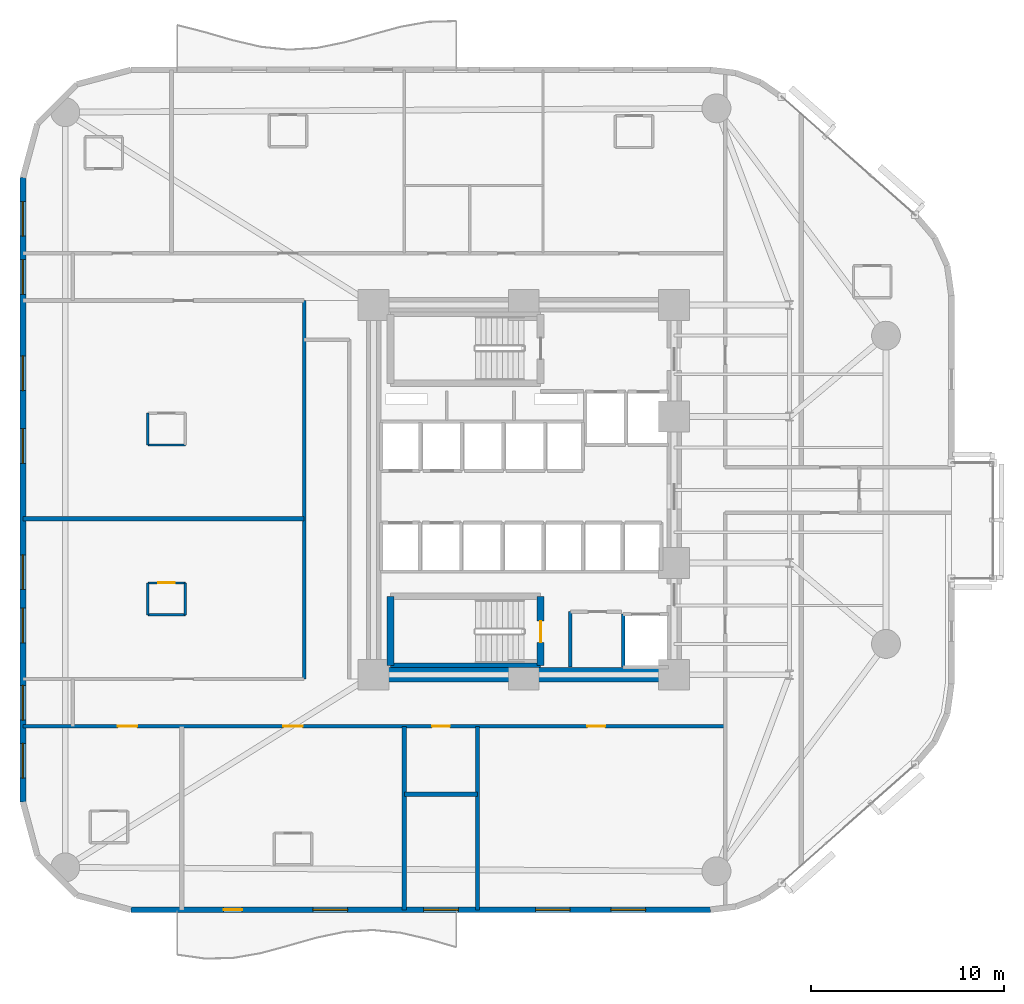
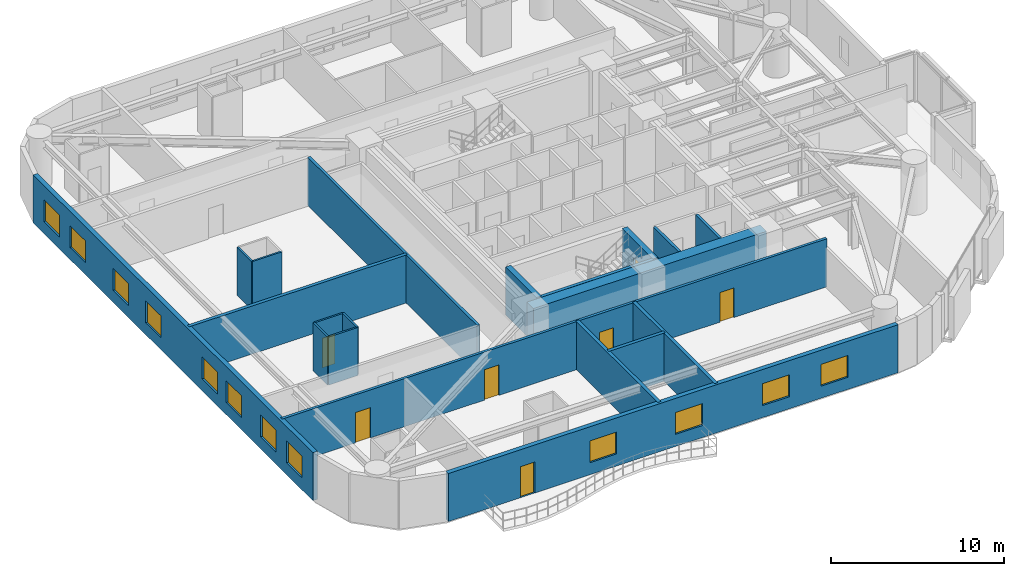
# One storey, part 10 of 17: 20 walls, 12 windows, 7 doors, 19 openings.
"""IFC4 building model written with IfcOpenShell, lengths in metres."""

import ifcopenshell
import ifcopenshell.guid

model = None  # the IFC model being written
_history = None  # IfcOwnerHistory: only IFC2X3 demands one
_inside = {}  # id of a spatial element -> (the spatial element, [elements in it])
_under = {}  # id of a project, library or spatial element -> (it, [spatial elements below it])
_declared = {}  # id of a project -> (the project, [libraries it declares])
_typed = {}  # id of a type object -> (the type object, [elements of that type])
_made_of = {}  # id of a material, layer set ... -> (it, [elements and type objects made of it])


def new_model(schema):
    """Start an empty IFC model of exactly this schema.

    Asked for "IFC4X3", IfcOpenShell would pick the latest addendum, in which some entities
    have other attributes; the version numbers below select the first issue.
    IFC2X3 requires an IfcOwnerHistory on every rooted entity: one is made here for all.
    """
    global model, _history
    if schema == "IFC4X3":
        model = ifcopenshell.file(schema_version=(4, 3, 0, 0))
    else:
        model = ifcopenshell.file(schema=schema)
    _inside.clear()
    _under.clear()
    _declared.clear()
    _typed.clear()
    _made_of.clear()
    _history = None
    if model.schema == "IFC2X3":
        org = make("IfcOrganization", Name="unknown")
        user = make(
            "IfcPersonAndOrganization",
            ThePerson=make("IfcPerson", FamilyName="unknown"),
            TheOrganization=org,
        )
        app = make(
            "IfcApplication",
            ApplicationDeveloper=org,
            Version="unknown",
            ApplicationFullName="unknown",
            ApplicationIdentifier="unknown",
        )
        _history = make(
            "IfcOwnerHistory",
            OwningUser=user,
            OwningApplication=app,
            ChangeAction="ADDED",
            CreationDate=0,
        )
    return model


def make(cls, **values):
    """One entity of the class cls with the attributes given. An attribute that is None is left unset."""
    return model.create_entity(
        cls, **{name: value for name, value in values.items() if value is not None}
    )


def rooted(cls, **values):
    """An entity with a GlobalId (a new one), such as an element, a storey or a relation."""
    return make(cls, GlobalId=ifcopenshell.guid.new(), OwnerHistory=_history, **values)


def si_unit(unit_type, name, prefix=None):
    """IfcSIUnit, for example si_unit("LENGTHUNIT", "METRE", prefix="MILLI")."""
    return make("IfcSIUnit", UnitType=unit_type, Prefix=prefix, Name=name)


def assignment(units):
    """IfcUnitAssignment: the units of a project."""
    return None if units is None else make("IfcUnitAssignment", Units=units)


def point(xyz):
    """IfcCartesianPoint."""
    return None if xyz is None else make("IfcCartesianPoint", Coordinates=xyz)


def direction(xyz):
    """IfcDirection."""
    return None if xyz is None else make("IfcDirection", DirectionRatios=xyz)


def frame(location, z_axis=None, x_axis=None):
    """IfcAxis2Placement3D, a coordinate frame: its origin and axes. An axis left out is left unset."""
    return make(
        "IfcAxis2Placement3D",
        Location=point(location),
        Axis=direction(z_axis),
        RefDirection=direction(x_axis),
    )


def frame_2d(location, x_axis=None):
    """IfcAxis2Placement2D, a coordinate frame in the plane: its origin and x axis."""
    return make(
        "IfcAxis2Placement2D", Location=point(location), RefDirection=direction(x_axis)
    )


def origin():
    """The frame at (0, 0, 0) with its axes left unset."""
    return frame((0.0, 0.0, 0.0))


def place(relative_to, where):
    """IfcLocalPlacement: puts the frame where relative to a parent placement (None: the world)."""
    return make(
        "IfcLocalPlacement", PlacementRelTo=relative_to, RelativePlacement=where
    )


def context(
    kind, dimensions, precision=None, world=None, true_north=None, identifier=None
):
    """IfcGeometricRepresentationContext, for example the 3D "Model" context."""
    return make(
        "IfcGeometricRepresentationContext",
        ContextIdentifier=identifier,
        ContextType=kind,
        CoordinateSpaceDimension=dimensions,
        Precision=precision,
        WorldCoordinateSystem=world,
        TrueNorth=true_north,
    )


def subcontext(parent, identifier, kind, view, scale=None):
    """IfcGeometricRepresentationSubContext, for example "Body" below "Model"."""
    return make(
        "IfcGeometricRepresentationSubContext",
        ContextIdentifier=identifier,
        ContextType=kind,
        ParentContext=parent,
        TargetScale=scale,
        TargetView=view,
    )


def project(units=None, contexts=None):
    """IfcProject with its units and contexts."""
    return rooted(
        "IfcProject",
        Name="project",
        RepresentationContexts=contexts,
        UnitsInContext=assignment(units),
    )


def spatial(cls, under=None, at=None, **own):
    """A site, building, storey or space (cls), placed at a placement, below another one or the project."""
    s = rooted(cls, ObjectPlacement=at, **own)
    if under is not None:
        _under.setdefault(under.id(), (under, []))[1].append(s)
    return s


def profile(cls, at=None, kind="AREA", **sizes):
    """A parametric profile (cls). Its sizes go by their IFC names, for example OverallWidth=200.0."""
    return make(cls, ProfileType=kind, Position=at, **sizes)


def rectangle(**sizes):
    """IfcRectangleProfileDef."""
    return profile("IfcRectangleProfileDef", **sizes)


def extrude(swept, where, along, depth):
    """IfcExtrudedAreaSolid: the profile swept, set in the frame where, extruded along a direction by depth."""
    return make(
        "IfcExtrudedAreaSolid",
        SweptArea=swept,
        Position=where,
        ExtrudedDirection=direction(along),
        Depth=depth,
    )


def shape(context_of_items, identifier, shape_type, items):
    """IfcShapeRepresentation: the items that make up one representation, for example the "Body"."""
    return make(
        "IfcShapeRepresentation",
        ContextOfItems=context_of_items,
        RepresentationIdentifier=identifier,
        RepresentationType=shape_type,
        Items=items,
    )


def material(Name=None, Category=None):
    """IfcMaterial."""
    return make("IfcMaterial", Name=Name, Category=Category)


def layer(
    of_material, thickness, ventilated=None, Name=None, Category=None, Priority=None
):
    """IfcMaterialLayer: one layer of a wall or slab, of a material (None: an air gap)."""
    return make(
        "IfcMaterialLayer",
        Material=of_material,
        LayerThickness=thickness,
        IsVentilated=ventilated,
        Name=Name,
        Category=Category,
        Priority=Priority,
    )


def layer_set(layers, Name=None):
    """IfcMaterialLayerSet."""
    return make("IfcMaterialLayerSet", MaterialLayers=layers, LayerSetName=Name)


def made_of(thing, what):
    """Note that an element or type object is made of a material, layer set ...; save() writes the relation."""
    if what is not None:
        _made_of.setdefault(what.id(), (what, []))[1].append(thing)
    return thing


def type_object(cls, material=None, **own):
    """A type object (cls), such as IfcWallType, which elements share."""
    return made_of(rooted(cls, **own), material)


def element(
    cls,
    number,
    at=None,
    inside=None,
    cuts=None,
    type_object=None,
    material=None,
    context=None,
    identifier="Body",
    shape_type=None,
    held_by="IfcProductDefinitionShape",
    body=None,
    shapes=None,
    **own,
):
    """One element of the class cls, such as IfcWall. Its Tag is "e" and its number.

    at: its placement. inside: the storey or other place that contains it. cuts: it is an
    opening in that element (IfcRelVoidsElement). A single representation is given by context,
    identifier, shape_type and body (its items); several are given by shapes. held_by: the class
    of the entity that holds the representations. save() writes the other relations.
    """
    e = rooted(cls, Tag="e%d" % number, ObjectPlacement=at, **own)
    if body is not None:
        shapes = [shape(context, identifier, shape_type, body)]
    if shapes is not None:
        e.Representation = make(held_by, Representations=shapes)
    if inside is not None:
        _inside.setdefault(inside.id(), (inside, []))[1].append(e)
    if cuts is not None:
        rooted(
            "IfcRelVoidsElement", RelatingBuildingElement=cuts, RelatedOpeningElement=e
        )
    if type_object is not None:
        _typed.setdefault(type_object.id(), (type_object, []))[1].append(e)
    return made_of(e, material)


def fill(opening, filler):
    """IfcRelFillsElement: the door or window that sits in an opening."""
    return rooted(
        "IfcRelFillsElement",
        RelatingOpeningElement=opening,
        RelatedBuildingElement=filler,
    )


def aggregate(whole, parts):
    """IfcRelAggregates: a whole, such as a stair, and the parts it consists of."""
    return rooted("IfcRelAggregates", RelatingObject=whole, RelatedObjects=parts)


def save(model, path):
    """Write the relations noted so far, then the file.

    IfcRelAggregates (storeys below a building ...), IfcRelContainedInSpatialStructure (elements
    in a storey), IfcRelDefinesByType, IfcRelAssociatesMaterial and IfcRelDeclares: one each for
    every whole, place, type object, material and project.
    """
    for whole, parts in _under.values():
        aggregate(whole, parts)
    for where, things in _inside.values():
        rooted(
            "IfcRelContainedInSpatialStructure",
            RelatedElements=things,
            RelatingStructure=where,
        )
    for kind, things in _typed.values():
        rooted("IfcRelDefinesByType", RelatedObjects=things, RelatingType=kind)
    for what, things in _made_of.values():
        rooted("IfcRelAssociatesMaterial", RelatedObjects=things, RelatingMaterial=what)
    for by, libraries in _declared.values():
        rooted("IfcRelDeclares", RelatingContext=by, RelatedDefinitions=libraries)
    model.write(path)


model = new_model("IFC4")

# Units and contexts
model_context = context("Model", 3, precision=1e-05, world=origin(), true_north=direction((0.0, 1.0)))
body_context = subcontext(model_context, "Body", "Model", "MODEL_VIEW")
ifc_project = project(units=[si_unit("LENGTHUNIT", "METRE"), si_unit("AREAUNIT", "SQUARE_METRE"), si_unit("VOLUMEUNIT", "CUBIC_METRE"), si_unit("PLANEANGLEUNIT", "RADIAN"), si_unit("MASSUNIT", "GRAM", prefix="KILO")], contexts=[model_context])

# Site, building, storey
site_placement = place(None, origin())
site = spatial("IfcSite", under=ifc_project, at=site_placement, CompositionType="ELEMENT")
building_placement = place(site_placement, origin())
building = spatial("IfcBuilding", under=site, at=building_placement, Name="An Khanh Terracotta Commons", CompositionType="ELEMENT")
storey_placement = place(building_placement, frame((0.0, 0.0, 36.0)))
storey = spatial("IfcBuildingStorey", under=building, at=storey_placement, Name="L09", CompositionType="ELEMENT", Elevation=36.0)

# Walls
ifc_material_1 = material(Name="Concrete C70/85", Category="concrete")
ifc_layer_1 = layer(ifc_material_1, 0.75, Name="Concrete C70/85")
ifc_layer_set_1 = layer_set([ifc_layer_1], Name="Concrete C70/85")
wall_type_1 = type_object("IfcWallType", Name="WALL-CORE-750", PredefinedType="SHEAR", material=ifc_layer_set_1)
wall_1_placement = place(storey_placement, frame((37.199951171875, 14.39990234375, 0.0), z_axis=(0.0, 0.0, 1.0), x_axis=(-1.0, 0.0, 0.0)))
element("IfcWall", 1, at=wall_1_placement, inside=storey, type_object=wall_type_1, Name="L09 Core Wall CWALL-L09-S", PredefinedType="SHEAR", context=body_context, shape_type="SweptSolid", body=[
    extrude(rectangle(XDim=15.599853515625, YDim=0.75, at=frame_2d((7.7998046875, 0.0))), origin(), (0.0, 0.0, 1.0), 3.39990234375),
])
ifc_material_2 = material(Name="Fire-Rated Gypsum Board on Steel Stud", Category="steel")
ifc_layer_2 = layer(ifc_material_2, 0.179931640625, Name="Fire-Rated Gypsum Board on Steel Stud")
ifc_layer_set_2 = layer_set([ifc_layer_2], Name="Fire-Rated Gypsum Board on Steel Stud")
wall_type_2 = type_object("IfcWallType", Name="WALL-CORR-180", PredefinedType="PARTITIONING", material=ifc_layer_set_2)
wall_2_placement = place(storey_placement, frame((31.820068359375, 14.800048828125, 0.0), z_axis=(0.0, 0.0, 1.0), x_axis=(0.0, 1.0, 0.0)))
element("IfcWall", 2, at=wall_2_placement, inside=storey, type_object=wall_type_2, Name="L09 Core Wall SSVCW-L09-W", PredefinedType="PARTITIONING", context=body_context, shape_type="SweptSolid", body=[
    extrude(rectangle(XDim=2.8798828125, YDim=0.179931640625, at=frame_2d((1.43994140625, 0.0))), origin(), (0.0, 0.0, 1.0), 3.39990234375),
])
wall_3_placement = place(storey_placement, frame((34.550048828125, 17.550048828125, 0.0), z_axis=(0.0, 0.0, 1.0), x_axis=(0.0, -1.0, 0.0)))
element("IfcWall", 3, at=wall_3_placement, inside=storey, type_object=wall_type_2, Name="L09 Core Wall LSH-L09-SVL-01-W", PredefinedType="PARTITIONING", context=body_context, shape_type="SweptSolid", body=[
    extrude(rectangle(XDim=2.75, YDim=0.179931640625, at=frame_2d((1.375, 0.0))), origin(), (0.0, 0.0, 1.0), 3.39990234375),
])

# Wall, openings, doors
wall_4_placement = place(storey_placement, frame((3.39990234375, 11.719970703125, 0.0), z_axis=(0.0, 0.0, 1.0), x_axis=(1.0, 0.0, 0.0)))
wall_4 = element("IfcWall", 4, at=wall_4_placement, inside=storey, type_object=wall_type_2, Name="L09 Interior Partition IW-L09-E002", PredefinedType="PARTITIONING", context=body_context, shape_type="SweptSolid", body=[
    extrude(rectangle(XDim=36.4501953125, YDim=0.179931640625, at=frame_2d((18.22509765625, 0.0))), origin(), (0.0, 0.0, 1.0), 3.39990234375),
])
opening_1_placement = place(wall_4_placement, frame((21.239990234375, 0.0, 0.0)))
opening_1 = element("IfcOpeningElement", 5, at=opening_1_placement, cuts=wall_4, Name="Opening D-RM", PredefinedType="OPENING", context=body_context, shape_type="SweptSolid", body=[
    extrude(rectangle(XDim=0.919921875, YDim=2.10009765625, at=frame_2d((0.4599609375, 1.050048828125))), frame((0.0, 0.099853515625, 0.0), z_axis=(0.0, -1.0, 0.0), x_axis=(1.0, 0.0, 0.0)), (0.0, 0.0, 1.0), 0.199951171875),
])
opening_2_placement = place(wall_4_placement, frame((4.925048828125, 0.0, 0.0)))
opening_2 = element("IfcOpeningElement", 6, at=opening_2_placement, cuts=wall_4, Name="Opening D-UN", PredefinedType="OPENING", context=body_context, shape_type="SweptSolid", body=[
    extrude(rectangle(XDim=1.0, YDim=2.14990234375, at=frame_2d((0.5, 1.074951171875))), frame((0.0, 0.099853515625, 0.0), z_axis=(0.0, -1.0, 0.0), x_axis=(1.0, 0.0, 0.0)), (0.0, 0.0, 1.0), 0.199951171875),
])
opening_3_placement = place(wall_4_placement, frame((13.52490234375, 0.0, 0.0)))
opening_3 = element("IfcOpeningElement", 7, at=opening_3_placement, cuts=wall_4, Name="Opening D-UN", PredefinedType="OPENING", context=body_context, shape_type="SweptSolid", body=[
    extrude(rectangle(XDim=1.0, YDim=2.14990234375, at=frame_2d((0.5, 1.074951171875))), frame((0.0, 0.099853515625, 0.0), z_axis=(0.0, -1.0, 0.0), x_axis=(1.0, 0.0, 0.0)), (0.0, 0.0, 1.0), 0.199951171875),
])
opening_4_placement = place(wall_4_placement, frame((29.304931640625, 0.0, 0.0)))
opening_4 = element("IfcOpeningElement", 8, at=opening_4_placement, cuts=wall_4, Name="Opening D-RM", PredefinedType="OPENING", context=body_context, shape_type="SweptSolid", body=[
    extrude(rectangle(XDim=0.919921875, YDim=2.10009765625, at=frame_2d((0.4599609375, 1.050048828125))), frame((0.0, 0.099853515625, 0.0), z_axis=(0.0, -1.0, 0.0), x_axis=(1.0, 0.0, 0.0)), (0.0, 0.0, 1.0), 0.199951171875),
])
ifc_material_3 = material(Name="Engineered Hardwood Timber Leaf", Category="wood")
door_type_1 = type_object("IfcDoorType", Name="DOOR-INT-920", OperationType="NOTDEFINED", PredefinedType="DOOR", material=ifc_material_3)
door_1_placement = place(opening_1_placement, origin())
door_1 = element("IfcDoor", 9, at=door_1_placement, inside=storey, type_object=door_type_1, Name="L09 HKP Housekeeping Linen Store Door", OperationType="SINGLE_SWING_RIGHT", OverallHeight=2.10009765625, OverallWidth=0.919921875, PredefinedType="DOOR", context=body_context, shape_type="SweptSolid", body=[
    extrude(rectangle(XDim=0.919921875, YDim=2.10009765625, at=frame_2d((0.4599609375, 1.050048828125))), frame((0.0, 0.02490234375, 0.0), z_axis=(0.0, -1.0, 0.0), x_axis=(1.0, 0.0, 0.0)), (0.0, 0.0, 1.0), 0.050048828125),
])
fill(opening_1, door_1)
door_2_placement = place(opening_4_placement, origin())
door_2 = element("IfcDoor", 10, at=door_2_placement, inside=storey, type_object=door_type_1, Name="L09 SWE Communal Kitchen and Dining Door", OperationType="SINGLE_SWING_LEFT", OverallHeight=2.10009765625, OverallWidth=0.919921875, PredefinedType="DOOR", context=body_context, shape_type="SweptSolid", body=[
    extrude(rectangle(XDim=0.919921875, YDim=2.10009765625, at=frame_2d((0.4599609375, 1.050048828125))), frame((0.0, 0.02490234375, 0.0), z_axis=(0.0, -1.0, 0.0), x_axis=(1.0, 0.0, 0.0)), (0.0, 0.0, 1.0), 0.050048828125),
])
fill(opening_4, door_2)
ifc_material_4 = material(Name="Solid-Core Hardwood Acoustic Fire Door", Category="wood")
door_type_2 = type_object("IfcDoorType", Name="DOOR-UNIT-1000", OperationType="NOTDEFINED", PredefinedType="DOOR", material=ifc_material_4)
door_3_placement = place(opening_2_placement, origin())
door_3 = element("IfcDoor", 11, at=door_3_placement, inside=storey, type_object=door_type_2, Name="L09 SW1 Kitchenette and Studio Apartment Door", OperationType="SINGLE_SWING_LEFT", OverallHeight=2.14990234375, OverallWidth=1.0, PredefinedType="DOOR", context=body_context, shape_type="SweptSolid", body=[
    extrude(rectangle(XDim=1.0, YDim=2.14990234375, at=frame_2d((0.5, 1.074951171875))), frame((0.0, 0.02490234375, 0.0), z_axis=(0.0, -1.0, 0.0), x_axis=(1.0, 0.0, 0.0)), (0.0, 0.0, 1.0), 0.050048828125),
])
fill(opening_2, door_3)
door_4_placement = place(opening_3_placement, origin())
door_4 = element("IfcDoor", 12, at=door_4_placement, inside=storey, type_object=door_type_2, Name="L09 SW2 Kitchenette and Studio Apartment Door", OperationType="SINGLE_SWING_RIGHT", OverallHeight=2.14990234375, OverallWidth=1.0, PredefinedType="DOOR", context=body_context, shape_type="SweptSolid", body=[
    extrude(rectangle(XDim=1.0, YDim=2.14990234375, at=frame_2d((0.5, 1.074951171875))), frame((0.0, 0.02490234375, 0.0), z_axis=(0.0, -1.0, 0.0), x_axis=(1.0, 0.0, 0.0)), (0.0, 0.0, 1.0), 0.050048828125),
])
fill(opening_3, door_4)

# Wall
wall_5_placement = place(storey_placement, frame((18.0, 14.179931640625, 0.0), z_axis=(0.0, 0.0, 1.0), x_axis=(0.0, 1.0, 0.0)))
element("IfcWall", 13, at=wall_5_placement, inside=storey, type_object=wall_type_2, Name="L09 Interior Partition IW-L09-E015", PredefinedType="PARTITIONING", context=body_context, shape_type="SweptSolid", body=[
    extrude(rectangle(XDim=19.64013671875, YDim=0.179931640625, at=frame_2d((9.820068359375, 0.0))), origin(), (0.0, 0.0, 1.0), 3.39990234375),
])

# Wall, openings, door, windows
ifc_material_5 = material(Name="Precast concrete C40/50", Category="concrete")
ifc_layer_3 = layer(ifc_material_5, 0.300048828125, Name="Precast concrete C40/50")
ifc_layer_set_3 = layer_set([ifc_layer_3], Name="Precast concrete C40/50")
wall_type_3 = type_object("IfcWallType", Name="WALL-EXT-300", PredefinedType="SOLIDWALL", material=ifc_layer_set_3)
wall_6_placement = place(storey_placement, frame((9.0, 2.199951171875, 0.0), z_axis=(0.0, 0.0, 1.0), x_axis=(1.0, 0.0, 0.0)))
wall_6 = element("IfcWall", 14, at=wall_6_placement, inside=storey, type_object=wall_type_3, Name="L09 Insulated Terracotta Exterior Wall 4", PredefinedType="SOLIDWALL", context=body_context, shape_type="SweptSolid", body=[
    extrude(rectangle(XDim=30.0791015625, YDim=0.300048828125, at=frame_2d((15.03955078125, 0.0))), origin(), (0.0, 0.0, 1.0), 3.39990234375),
])
opening_5_placement = place(wall_6_placement, frame((4.824951171875, 0.0, 0.0)))
opening_5 = element("IfcOpeningElement", 15, at=opening_5_placement, cuts=wall_6, Name="Opening D-BAL", PredefinedType="OPENING", context=body_context, shape_type="SweptSolid", body=[
    extrude(rectangle(XDim=0.949951171875, YDim=2.199951171875, at=frame_2d((0.47509765625, 1.10009765625))), frame((0.0, 0.159912109375, 0.0), z_axis=(0.0, -1.0, 0.0), x_axis=(1.0, 0.0, 0.0)), (0.0, 0.0, 1.0), 0.320068359375),
])
opening_6_placement = place(wall_6_placement, frame((9.449951171875, 0.0, 0.85009765625)))
opening_6 = element("IfcOpeningElement", 16, at=opening_6_placement, cuts=wall_6, Name="Opening W-01", PredefinedType="OPENING", context=body_context, shape_type="SweptSolid", body=[
    extrude(rectangle(XDim=1.800048828125, YDim=1.550048828125, at=frame_2d((0.89990234375, 0.77490234375))), frame((0.0, 0.159912109375, 0.0), z_axis=(0.0, -1.0, 0.0), x_axis=(1.0, 0.0, 0.0)), (0.0, 0.0, 1.0), 0.320068359375),
])
opening_7_placement = place(wall_6_placement, frame((15.199951171875, 0.0, 0.85009765625)))
opening_7 = element("IfcOpeningElement", 17, at=opening_7_placement, cuts=wall_6, Name="Opening W-01", PredefinedType="OPENING", context=body_context, shape_type="SweptSolid", body=[
    extrude(rectangle(XDim=1.800048828125, YDim=1.550048828125, at=frame_2d((0.89990234375, 0.77490234375))), frame((0.0, 0.159912109375, 0.0), z_axis=(0.0, -1.0, 0.0), x_axis=(1.0, 0.0, 0.0)), (0.0, 0.0, 1.0), 0.320068359375),
])
opening_8_placement = place(wall_6_placement, frame((21.010009765625, 0.0, 0.85009765625)))
opening_8 = element("IfcOpeningElement", 18, at=opening_8_placement, cuts=wall_6, Name="Opening W-01", PredefinedType="OPENING", context=body_context, shape_type="SweptSolid", body=[
    extrude(rectangle(XDim=1.800048828125, YDim=1.550048828125, at=frame_2d((0.89990234375, 0.77490234375))), frame((0.0, 0.159912109375, 0.0), z_axis=(0.0, -1.0, 0.0), x_axis=(1.0, 0.0, 0.0)), (0.0, 0.0, 1.0), 0.320068359375),
])
opening_9_placement = place(wall_6_placement, frame((24.9189453125, 0.0, 0.85009765625)))
opening_9 = element("IfcOpeningElement", 19, at=opening_9_placement, cuts=wall_6, Name="Opening W-01", PredefinedType="OPENING", context=body_context, shape_type="SweptSolid", body=[
    extrude(rectangle(XDim=1.800048828125, YDim=1.550048828125, at=frame_2d((0.89990234375, 0.77490234375))), frame((0.0, 0.159912109375, 0.0), z_axis=(0.0, -1.0, 0.0), x_axis=(1.0, 0.0, 0.0)), (0.0, 0.0, 1.0), 0.320068359375),
])
ifc_material_6 = material(Name="Thermally Broken Aluminium and Low-E Glass", Category="aluminium")
door_type_3 = type_object("IfcDoorType", Name="DOOR-BALC-950", OperationType="NOTDEFINED", PredefinedType="DOOR", material=ifc_material_6)
door_5_placement = place(opening_5_placement, origin())
door_5 = element("IfcDoor", 20, at=door_5_placement, inside=storey, type_object=door_type_3, Name="L09 S Wave Balcony Glazed Door", OperationType="SINGLE_SWING_LEFT", OverallHeight=2.199951171875, OverallWidth=0.949951171875, PredefinedType="DOOR", context=body_context, shape_type="SweptSolid", body=[
    extrude(rectangle(XDim=0.949951171875, YDim=2.199951171875, at=frame_2d((0.47509765625, 1.10009765625))), frame((0.0, 0.02490234375, 0.0), z_axis=(0.0, -1.0, 0.0), x_axis=(1.0, 0.0, 0.0)), (0.0, 0.0, 1.0), 0.050048828125),
])
fill(opening_5, door_5)
window_type = type_object("IfcWindowType", Name="WIN-Z1-1800x1550", PartitioningType="DOUBLE_PANEL_VERTICAL", PredefinedType="WINDOW", material=ifc_material_6)
window_1_placement = place(opening_6_placement, origin())
window_1 = element("IfcWindow", 21, at=window_1_placement, inside=storey, type_object=window_type, Name="L09 Operable Casement Window 4.1", OverallHeight=1.550048828125, OverallWidth=1.800048828125, PartitioningType="DOUBLE_PANEL_VERTICAL", PredefinedType="WINDOW", context=body_context, shape_type="SweptSolid", body=[
    extrude(rectangle(XDim=1.800048828125, YDim=1.550048828125, at=frame_2d((0.89990234375, 0.77490234375))), frame((0.0, 0.030029296875, 0.0), z_axis=(0.0, -1.0, 0.0), x_axis=(1.0, 0.0, 0.0)), (0.0, 0.0, 1.0), 0.06005859375),
])
fill(opening_6, window_1)
window_2_placement = place(opening_7_placement, origin())
window_2 = element("IfcWindow", 22, at=window_2_placement, inside=storey, type_object=window_type, Name="L09 Operable Casement Window 4.2", OverallHeight=1.550048828125, OverallWidth=1.800048828125, PartitioningType="DOUBLE_PANEL_VERTICAL", PredefinedType="WINDOW", context=body_context, shape_type="SweptSolid", body=[
    extrude(rectangle(XDim=1.800048828125, YDim=1.550048828125, at=frame_2d((0.89990234375, 0.77490234375))), frame((0.0, 0.030029296875, 0.0), z_axis=(0.0, -1.0, 0.0), x_axis=(1.0, 0.0, 0.0)), (0.0, 0.0, 1.0), 0.06005859375),
])
fill(opening_7, window_2)
window_3_placement = place(opening_8_placement, origin())
window_3 = element("IfcWindow", 23, at=window_3_placement, inside=storey, type_object=window_type, Name="L09 Operable Casement Window 4.3", OverallHeight=1.550048828125, OverallWidth=1.800048828125, PartitioningType="DOUBLE_PANEL_VERTICAL", PredefinedType="WINDOW", context=body_context, shape_type="SweptSolid", body=[
    extrude(rectangle(XDim=1.800048828125, YDim=1.550048828125, at=frame_2d((0.89990234375, 0.77490234375))), frame((0.0, 0.030029296875, 0.0), z_axis=(0.0, -1.0, 0.0), x_axis=(1.0, 0.0, 0.0)), (0.0, 0.0, 1.0), 0.06005859375),
])
fill(opening_8, window_3)
window_4_placement = place(opening_9_placement, origin())
window_4 = element("IfcWindow", 24, at=window_4_placement, inside=storey, type_object=window_type, Name="L09 Operable Casement Window 4.4", OverallHeight=1.550048828125, OverallWidth=1.800048828125, PartitioningType="DOUBLE_PANEL_VERTICAL", PredefinedType="WINDOW", context=body_context, shape_type="SweptSolid", body=[
    extrude(rectangle(XDim=1.800048828125, YDim=1.550048828125, at=frame_2d((0.89990234375, 0.77490234375))), frame((0.0, 0.030029296875, 0.0), z_axis=(0.0, -1.0, 0.0), x_axis=(1.0, 0.0, 0.0)), (0.0, 0.0, 1.0), 0.06005859375),
])
fill(opening_9, window_4)

# Wall, openings, windows
wall_7_placement = place(storey_placement, frame((3.39990234375, 40.199951171875, 0.0), z_axis=(0.0, 0.0, 1.0), x_axis=(0.0, -1.0, 0.0)))
wall_7 = element("IfcWall", 25, at=wall_7_placement, inside=storey, type_object=wall_type_3, Name="L09 Insulated Terracotta Exterior Wall 24", PredefinedType="SOLIDWALL", context=body_context, shape_type="SweptSolid", body=[
    extrude(rectangle(XDim=32.39990234375, YDim=0.300048828125, at=frame_2d((16.199951171875, 0.0))), origin(), (0.0, 0.0, 1.0), 3.39990234375),
])
opening_10_placement = place(wall_7_placement, frame((1.235107421875, 0.0, 0.85009765625)))
opening_10 = element("IfcOpeningElement", 26, at=opening_10_placement, cuts=wall_7, Name="Opening W-01", PredefinedType="OPENING", context=body_context, shape_type="SweptSolid", body=[
    extrude(rectangle(XDim=1.800048828125, YDim=1.550048828125, at=frame_2d((0.89990234375, 0.77490234375))), frame((0.0, 0.159912109375, 0.0), z_axis=(0.0, -1.0, 0.0), x_axis=(1.0, 0.0, 0.0)), (0.0, 0.0, 1.0), 0.320068359375),
])
opening_11_placement = place(wall_7_placement, frame((4.25, 0.0, 0.85009765625)))
opening_11 = element("IfcOpeningElement", 27, at=opening_11_placement, cuts=wall_7, Name="Opening W-01", PredefinedType="OPENING", context=body_context, shape_type="SweptSolid", body=[
    extrude(rectangle(XDim=1.800048828125, YDim=1.550048828125, at=frame_2d((0.89990234375, 0.77490234375))), frame((0.0, 0.159912109375, 0.0), z_axis=(0.0, -1.0, 0.0), x_axis=(1.0, 0.0, 0.0)), (0.0, 0.0, 1.0), 0.320068359375),
])
opening_12_placement = place(wall_7_placement, frame((9.2529296875, 0.0, 0.85009765625)))
opening_12 = element("IfcOpeningElement", 28, at=opening_12_placement, cuts=wall_7, Name="Opening W-01", PredefinedType="OPENING", context=body_context, shape_type="SweptSolid", body=[
    extrude(rectangle(XDim=1.800048828125, YDim=1.550048828125, at=frame_2d((0.89990234375, 0.77490234375))), frame((0.0, 0.159912109375, 0.0), z_axis=(0.0, -1.0, 0.0), x_axis=(1.0, 0.0, 0.0)), (0.0, 0.0, 1.0), 0.320068359375),
])
opening_13_placement = place(wall_7_placement, frame((13.027099609375, 0.0, 0.85009765625)))
opening_13 = element("IfcOpeningElement", 29, at=opening_13_placement, cuts=wall_7, Name="Opening W-01", PredefinedType="OPENING", context=body_context, shape_type="SweptSolid", body=[
    extrude(rectangle(XDim=1.800048828125, YDim=1.550048828125, at=frame_2d((0.89990234375, 0.77490234375))), frame((0.0, 0.159912109375, 0.0), z_axis=(0.0, -1.0, 0.0), x_axis=(1.0, 0.0, 0.0)), (0.0, 0.0, 1.0), 0.320068359375),
])
opening_14_placement = place(wall_7_placement, frame((19.572998046875, 0.0, 0.85009765625)))
opening_14 = element("IfcOpeningElement", 30, at=opening_14_placement, cuts=wall_7, Name="Opening W-01", PredefinedType="OPENING", context=body_context, shape_type="SweptSolid", body=[
    extrude(rectangle(XDim=1.800048828125, YDim=1.550048828125, at=frame_2d((0.89990234375, 0.77490234375))), frame((0.0, 0.159912109375, 0.0), z_axis=(0.0, -1.0, 0.0), x_axis=(1.0, 0.0, 0.0)), (0.0, 0.0, 1.0), 0.320068359375),
])
opening_15_placement = place(wall_7_placement, frame((22.346923828125, 0.0, 0.85009765625)))
opening_15 = element("IfcOpeningElement", 31, at=opening_15_placement, cuts=wall_7, Name="Opening W-01", PredefinedType="OPENING", context=body_context, shape_type="SweptSolid", body=[
    extrude(rectangle(XDim=1.800048828125, YDim=1.550048828125, at=frame_2d((0.89990234375, 0.77490234375))), frame((0.0, 0.159912109375, 0.0), z_axis=(0.0, -1.0, 0.0), x_axis=(1.0, 0.0, 0.0)), (0.0, 0.0, 1.0), 0.320068359375),
])
opening_16_placement = place(wall_7_placement, frame((26.35009765625, 0.0, 0.85009765625)))
opening_16 = element("IfcOpeningElement", 32, at=opening_16_placement, cuts=wall_7, Name="Opening W-01", PredefinedType="OPENING", context=body_context, shape_type="SweptSolid", body=[
    extrude(rectangle(XDim=1.800048828125, YDim=1.550048828125, at=frame_2d((0.89990234375, 0.77490234375))), frame((0.0, 0.159912109375, 0.0), z_axis=(0.0, -1.0, 0.0), x_axis=(1.0, 0.0, 0.0)), (0.0, 0.0, 1.0), 0.320068359375),
])
opening_17_placement = place(wall_7_placement, frame((29.364990234375, 0.0, 0.85009765625)))
opening_17 = element("IfcOpeningElement", 33, at=opening_17_placement, cuts=wall_7, Name="Opening W-01", PredefinedType="OPENING", context=body_context, shape_type="SweptSolid", body=[
    extrude(rectangle(XDim=1.800048828125, YDim=1.550048828125, at=frame_2d((0.89990234375, 0.77490234375))), frame((0.0, 0.159912109375, 0.0), z_axis=(0.0, -1.0, 0.0), x_axis=(1.0, 0.0, 0.0)), (0.0, 0.0, 1.0), 0.320068359375),
])
window_5_placement = place(opening_10_placement, origin())
window_5 = element("IfcWindow", 34, at=window_5_placement, inside=storey, type_object=window_type, Name="L09 Operable Casement Window 24.1", OverallHeight=1.550048828125, OverallWidth=1.800048828125, PartitioningType="DOUBLE_PANEL_VERTICAL", PredefinedType="WINDOW", context=body_context, shape_type="SweptSolid", body=[
    extrude(rectangle(XDim=1.800048828125, YDim=1.550048828125, at=frame_2d((0.89990234375, 0.77490234375))), frame((0.0, 0.030029296875, 0.0), z_axis=(0.0, -1.0, 0.0), x_axis=(1.0, 0.0, 0.0)), (0.0, 0.0, 1.0), 0.06005859375),
])
fill(opening_10, window_5)
window_6_placement = place(opening_11_placement, origin())
window_6 = element("IfcWindow", 35, at=window_6_placement, inside=storey, type_object=window_type, Name="L09 Operable Casement Window 24.2", OverallHeight=1.550048828125, OverallWidth=1.800048828125, PartitioningType="DOUBLE_PANEL_VERTICAL", PredefinedType="WINDOW", context=body_context, shape_type="SweptSolid", body=[
    extrude(rectangle(XDim=1.800048828125, YDim=1.550048828125, at=frame_2d((0.89990234375, 0.77490234375))), frame((0.0, 0.030029296875, 0.0), z_axis=(0.0, -1.0, 0.0), x_axis=(1.0, 0.0, 0.0)), (0.0, 0.0, 1.0), 0.06005859375),
])
fill(opening_11, window_6)
window_7_placement = place(opening_12_placement, origin())
window_7 = element("IfcWindow", 36, at=window_7_placement, inside=storey, type_object=window_type, Name="L09 Operable Casement Window 24.3", OverallHeight=1.550048828125, OverallWidth=1.800048828125, PartitioningType="DOUBLE_PANEL_VERTICAL", PredefinedType="WINDOW", context=body_context, shape_type="SweptSolid", body=[
    extrude(rectangle(XDim=1.800048828125, YDim=1.550048828125, at=frame_2d((0.89990234375, 0.77490234375))), frame((0.0, 0.030029296875, 0.0), z_axis=(0.0, -1.0, 0.0), x_axis=(1.0, 0.0, 0.0)), (0.0, 0.0, 1.0), 0.06005859375),
])
fill(opening_12, window_7)
window_8_placement = place(opening_13_placement, origin())
window_8 = element("IfcWindow", 37, at=window_8_placement, inside=storey, type_object=window_type, Name="L09 Operable Casement Window 24.4", OverallHeight=1.550048828125, OverallWidth=1.800048828125, PartitioningType="DOUBLE_PANEL_VERTICAL", PredefinedType="WINDOW", context=body_context, shape_type="SweptSolid", body=[
    extrude(rectangle(XDim=1.800048828125, YDim=1.550048828125, at=frame_2d((0.89990234375, 0.77490234375))), frame((0.0, 0.030029296875, 0.0), z_axis=(0.0, -1.0, 0.0), x_axis=(1.0, 0.0, 0.0)), (0.0, 0.0, 1.0), 0.06005859375),
])
fill(opening_13, window_8)
window_9_placement = place(opening_14_placement, origin())
window_9 = element("IfcWindow", 38, at=window_9_placement, inside=storey, type_object=window_type, Name="L09 Operable Casement Window 24.5", OverallHeight=1.550048828125, OverallWidth=1.800048828125, PartitioningType="DOUBLE_PANEL_VERTICAL", PredefinedType="WINDOW", context=body_context, shape_type="SweptSolid", body=[
    extrude(rectangle(XDim=1.800048828125, YDim=1.550048828125, at=frame_2d((0.89990234375, 0.77490234375))), frame((0.0, 0.030029296875, 0.0), z_axis=(0.0, -1.0, 0.0), x_axis=(1.0, 0.0, 0.0)), (0.0, 0.0, 1.0), 0.06005859375),
])
fill(opening_14, window_9)
window_10_placement = place(opening_15_placement, origin())
window_10 = element("IfcWindow", 39, at=window_10_placement, inside=storey, type_object=window_type, Name="L09 Operable Casement Window 24.6", OverallHeight=1.550048828125, OverallWidth=1.800048828125, PartitioningType="DOUBLE_PANEL_VERTICAL", PredefinedType="WINDOW", context=body_context, shape_type="SweptSolid", body=[
    extrude(rectangle(XDim=1.800048828125, YDim=1.550048828125, at=frame_2d((0.89990234375, 0.77490234375))), frame((0.0, 0.030029296875, 0.0), z_axis=(0.0, -1.0, 0.0), x_axis=(1.0, 0.0, 0.0)), (0.0, 0.0, 1.0), 0.06005859375),
])
fill(opening_15, window_10)
window_11_placement = place(opening_16_placement, origin())
window_11 = element("IfcWindow", 40, at=window_11_placement, inside=storey, type_object=window_type, Name="L09 Operable Casement Window 24.7", OverallHeight=1.550048828125, OverallWidth=1.800048828125, PartitioningType="DOUBLE_PANEL_VERTICAL", PredefinedType="WINDOW", context=body_context, shape_type="SweptSolid", body=[
    extrude(rectangle(XDim=1.800048828125, YDim=1.550048828125, at=frame_2d((0.89990234375, 0.77490234375))), frame((0.0, 0.030029296875, 0.0), z_axis=(0.0, -1.0, 0.0), x_axis=(1.0, 0.0, 0.0)), (0.0, 0.0, 1.0), 0.06005859375),
])
fill(opening_16, window_11)
window_12_placement = place(opening_17_placement, origin())
window_12 = element("IfcWindow", 41, at=window_12_placement, inside=storey, type_object=window_type, Name="L09 Operable Casement Window 24.8", OverallHeight=1.550048828125, OverallWidth=1.800048828125, PartitioningType="DOUBLE_PANEL_VERTICAL", PredefinedType="WINDOW", context=body_context, shape_type="SweptSolid", body=[
    extrude(rectangle(XDim=1.800048828125, YDim=1.550048828125, at=frame_2d((0.89990234375, 0.77490234375))), frame((0.0, 0.030029296875, 0.0), z_axis=(0.0, -1.0, 0.0), x_axis=(1.0, 0.0, 0.0)), (0.0, 0.0, 1.0), 0.06005859375),
])
fill(opening_17, window_12)

# Walls
ifc_material_7 = material(Name="Acoustic Double-Stud Gypsum and Mineral Wool")
ifc_layer_4 = layer(ifc_material_7, 0.219970703125, Name="Acoustic Double-Stud Gypsum and Mineral Wool")
ifc_layer_set_4 = layer_set([ifc_layer_4], Name="Acoustic Double-Stud Gypsum and Mineral Wool")
wall_type_4 = type_object("IfcWallType", Name="WALL-PARTY-220", PredefinedType="PARTITIONING", material=ifc_layer_set_4)
wall_8_placement = place(storey_placement, frame((22.47998046875, 14.889892578125, 0.0), z_axis=(0.0, 0.0, 1.0), x_axis=(1.0, 0.0, 0.0)))
element("IfcWall", 42, at=wall_8_placement, inside=storey, type_object=wall_type_4, Name="L09 Core Wall STW-L09-S-S", PredefinedType="PARTITIONING", context=body_context, shape_type="SweptSolid", body=[
    extrude(rectangle(XDim=7.7900390625, YDim=0.219970703125, at=frame_2d((3.89501953125, 0.0))), origin(), (0.0, 0.0, 1.0), 3.39990234375),
])
wall_9_placement = place(storey_placement, frame((23.199951171875, 8.199951171875, 0.0), z_axis=(0.0, 0.0, 1.0), x_axis=(1.0, 0.0, 0.0)))
element("IfcWall", 43, at=wall_9_placement, inside=storey, type_object=wall_type_4, Name="L09 Interior Partition IW-L09-E001", PredefinedType="PARTITIONING", context=body_context, shape_type="SweptSolid", body=[
    extrude(rectangle(XDim=3.800048828125, YDim=0.219970703125, at=frame_2d((1.89990234375, 0.0))), origin(), (0.0, 0.0, 1.0), 3.39990234375),
])
wall_10_placement = place(storey_placement, frame((3.39990234375, 22.5, 0.0), z_axis=(0.0, 0.0, 1.0), x_axis=(1.0, 0.0, 0.0)))
element("IfcWall", 44, at=wall_10_placement, inside=storey, type_object=wall_type_4, Name="L09 Interior Partition IW-L09-E004", PredefinedType="PARTITIONING", context=body_context, shape_type="SweptSolid", body=[
    extrude(rectangle(XDim=14.60009765625, YDim=0.219970703125, at=frame_2d((7.300048828125, 0.0))), origin(), (0.0, 0.0, 1.0), 3.39990234375),
])
for number, where, z_axis, x_axis, name in (
    (45, (23.199951171875, 2.199951171875, 0.0), (0.0, 0.0, 1.0), (0.0, 1.0, 0.0), "L09 Interior Partition IW-L09-E017"),
    (46, (27.0, 2.199951171875, 0.0), (0.0, 0.0, 1.0), (0.0, 1.0, 0.0), "L09 Interior Partition IW-L09-E020"),
):
    element("IfcWall", number, at=place(storey_placement, frame(where, z_axis=z_axis, x_axis=x_axis)), inside=storey, type_object=wall_type_4, Name=name, PredefinedType="PARTITIONING", context=body_context, shape_type="SweptSolid", body=[
        extrude(rectangle(XDim=9.52001953125, YDim=0.219970703125, at=frame_2d((4.760009765625, 0.0))), origin(), (0.0, 0.0, 1.0), 3.39990234375),
    ])
ifc_material_8 = material(Name="Concrete C50/60", Category="concrete")
ifc_layer_5 = layer(ifc_material_8, 0.35009765625, Name="Concrete C50/60")
ifc_layer_set_5 = layer_set([ifc_layer_5], Name="Concrete C50/60")
wall_type_5 = type_object("IfcWallType", Name="WALL-SHAFT-350", PredefinedType="SOLIDWALL", material=ifc_layer_set_5)
wall_11_placement = place(storey_placement, frame((22.47998046875, 14.889892578125, 0.0), z_axis=(0.0, 0.0, 1.0), x_axis=(0.0, 1.0, 0.0)))
element("IfcWall", 47, at=wall_11_placement, inside=storey, type_object=wall_type_5, Name="L09 Core Wall STW-L09-S-W", PredefinedType="SOLIDWALL", context=body_context, shape_type="SweptSolid", body=[
    extrude(rectangle(XDim=3.580078125, YDim=0.35009765625, at=frame_2d((1.7900390625, 0.0))), origin(), (0.0, 0.0, 1.0), 3.39990234375),
])

# Wall, opening, door
wall_12_placement = place(storey_placement, frame((30.27001953125, 14.889892578125, 0.0), z_axis=(0.0, 0.0, 1.0), x_axis=(0.0, 1.0, 0.0)))
wall_12 = element("IfcWall", 48, at=wall_12_placement, inside=storey, type_object=wall_type_5, Name="L09 Core Wall STW-L09-S-E", PredefinedType="SOLIDWALL", context=body_context, shape_type="SweptSolid", body=[
    extrude(rectangle(XDim=3.580078125, YDim=0.35009765625, at=frame_2d((1.7900390625, 0.0))), origin(), (0.0, 0.0, 1.0), 3.39990234375),
])
opening_18_placement = place(wall_12_placement, frame((1.18994140625, 0.0, 0.0)))
opening_18 = element("IfcOpeningElement", 49, at=opening_18_placement, cuts=wall_12, Name="Opening D-ST", PredefinedType="OPENING", context=body_context, shape_type="SweptSolid", body=[
    extrude(rectangle(XDim=1.10009765625, YDim=2.14990234375, at=frame_2d((0.550048828125, 1.074951171875))), frame((0.0, 0.18505859375, 0.0), z_axis=(0.0, -1.0, 0.0), x_axis=(1.0, 0.0, 0.0)), (0.0, 0.0, 1.0), 0.3701171875),
])
ifc_material_9 = material(Name="Fire-Rated Steel Leaf and Frame", Category="steel")
door_type_4 = type_object("IfcDoorType", Name="DOOR-STAIR-1100", OperationType="NOTDEFINED", PredefinedType="DOOR", material=ifc_material_9)
door_6_placement = place(opening_18_placement, origin())
door_6 = element("IfcDoor", 50, at=door_6_placement, inside=storey, type_object=door_type_4, Name="L09 Stair ST-02 Fire Door", OperationType="SINGLE_SWING_RIGHT", OverallHeight=2.14990234375, OverallWidth=1.10009765625, PredefinedType="DOOR", context=body_context, shape_type="SweptSolid", body=[
    extrude(rectangle(XDim=1.10009765625, YDim=2.14990234375, at=frame_2d((0.550048828125, 1.074951171875))), frame((0.0, 0.02490234375, 0.0), z_axis=(0.0, -1.0, 0.0), x_axis=(1.0, 0.0, 0.0)), (0.0, 0.0, 1.0), 0.050048828125),
])
fill(opening_18, door_6)

ifc_material_10 = material(Name="Moisture-Resistant Cement Board Partition")
ifc_layer_6 = layer(ifc_material_10, 0.1201171875, Name="Moisture-Resistant Cement Board Partition")
ifc_layer_set_6 = layer_set([ifc_layer_6], Name="Moisture-Resistant Cement Board Partition")
wall_type_6 = type_object("IfcWallType", Name="WALL-WET-120", PredefinedType="PARTITIONING", material=ifc_layer_set_6)
wall_13_placement = place(storey_placement, frame((9.885009765625, 19.1650390625, 0.0), z_axis=(0.0, 0.0, 1.0), x_axis=(1.0, 0.0, 0.0)))
wall_13 = element("IfcWall", 51, at=wall_13_placement, inside=storey, type_object=wall_type_6, Name="L09 Interior Partition IW-L09-WW1-BN", PredefinedType="PARTITIONING", context=body_context, shape_type="SweptSolid", body=[
    extrude(rectangle(XDim=1.949951171875, YDim=0.1201171875, at=frame_2d((0.97509765625, 0.0))), origin(), (0.0, 0.0, 1.0), 3.39990234375),
])
opening_19_placement = place(wall_13_placement, frame((0.544921875, 0.0, 0.0)))
opening_19 = element("IfcOpeningElement", 52, at=opening_19_placement, cuts=wall_13, Name="Opening D-ENS", PredefinedType="OPENING", context=body_context, shape_type="SweptSolid", body=[
    extrude(rectangle(XDim=0.860107421875, YDim=2.10009765625, at=frame_2d((0.43017578125, 1.050048828125))), frame((0.0, 0.070068359375, 0.0), z_axis=(0.0, -1.0, 0.0), x_axis=(1.0, 0.0, 0.0)), (0.0, 0.0, 1.0), 0.14013671875),
])
ifc_material_11 = material(Name="Moisture-Resistant Hardwood Timber Leaf", Category="wood")
door_type_5 = type_object("IfcDoorType", Name="DOOR-BATH-860", OperationType="NOTDEFINED", PredefinedType="DOOR", material=ifc_material_11)
door_7_placement = place(opening_19_placement, origin())
door_7 = element("IfcDoor", 53, at=door_7_placement, inside=storey, type_object=door_type_5, Name="L09 Studio WW1 En-suite Door", OperationType="SINGLE_SWING_RIGHT", OverallHeight=2.10009765625, OverallWidth=0.860107421875, PredefinedType="DOOR", context=body_context, shape_type="SweptSolid", body=[
    extrude(rectangle(XDim=0.860107421875, YDim=2.10009765625, at=frame_2d((0.43017578125, 1.050048828125))), frame((0.0, 0.02490234375, 0.0), z_axis=(0.0, -1.0, 0.0), x_axis=(1.0, 0.0, 0.0)), (0.0, 0.0, 1.0), 0.050048828125),
])
fill(opening_19, door_7)

# Walls
wall_14_placement = place(storey_placement, frame((11.8349609375, 17.514892578125, 0.0), z_axis=(0.0, 0.0, 1.0), x_axis=(-1.0, 0.0, 0.0)))
element("IfcWall", 54, at=wall_14_placement, inside=storey, type_object=wall_type_6, Name="L09 Interior Partition IW-L09-WW1-BS", PredefinedType="PARTITIONING", context=body_context, shape_type="SweptSolid", body=[
    extrude(rectangle(XDim=1.949951171875, YDim=0.1201171875, at=frame_2d((0.97509765625, 0.0))), origin(), (0.0, 0.0, 1.0), 3.39990234375),
])
for number, where, z_axis, x_axis, name in (
    (55, (9.885009765625, 19.1650390625, 0.0), (0.0, 0.0, 1.0), (0.0, -1.0, 0.0), "L09 Interior Partition IW-L09-WW1-BW"),
    (56, (11.8349609375, 17.514892578125, 0.0), (0.0, 0.0, 1.0), (0.0, 1.0, 0.0), "L09 Interior Partition IW-L09-WW1-BE"),
):
    element("IfcWall", number, at=place(storey_placement, frame(where, z_axis=z_axis, x_axis=x_axis)), inside=storey, type_object=wall_type_6, Name=name, PredefinedType="PARTITIONING", context=body_context, shape_type="SweptSolid", body=[
        extrude(rectangle(XDim=1.650146484375, YDim=0.1201171875, at=frame_2d((0.8251953125, 0.0))), origin(), (0.0, 0.0, 1.0), 3.39990234375),
    ])
wall_15_placement = place(storey_placement, frame((11.8349609375, 26.324951171875, 0.0), z_axis=(0.0, 0.0, 1.0), x_axis=(-1.0, 0.0, 0.0)))
element("IfcWall", 57, at=wall_15_placement, inside=storey, type_object=wall_type_6, Name="L09 Interior Partition IW-L09-WW2-BS", PredefinedType="PARTITIONING", context=body_context, shape_type="SweptSolid", body=[
    extrude(rectangle(XDim=1.949951171875, YDim=0.1201171875, at=frame_2d((0.97509765625, 0.0))), origin(), (0.0, 0.0, 1.0), 3.39990234375),
])
wall_16_placement = place(storey_placement, frame((9.885009765625, 27.97509765625, 0.0), z_axis=(0.0, 0.0, 1.0), x_axis=(0.0, -1.0, 0.0)))
element("IfcWall", 58, at=wall_16_placement, inside=storey, type_object=wall_type_6, Name="L09 Interior Partition IW-L09-WW2-BW", PredefinedType="PARTITIONING", context=body_context, shape_type="SweptSolid", body=[
    extrude(rectangle(XDim=1.650146484375, YDim=0.1201171875, at=frame_2d((0.8251953125, 0.0))), origin(), (0.0, 0.0, 1.0), 3.39990234375),
])

save(model, "model.ifc")
